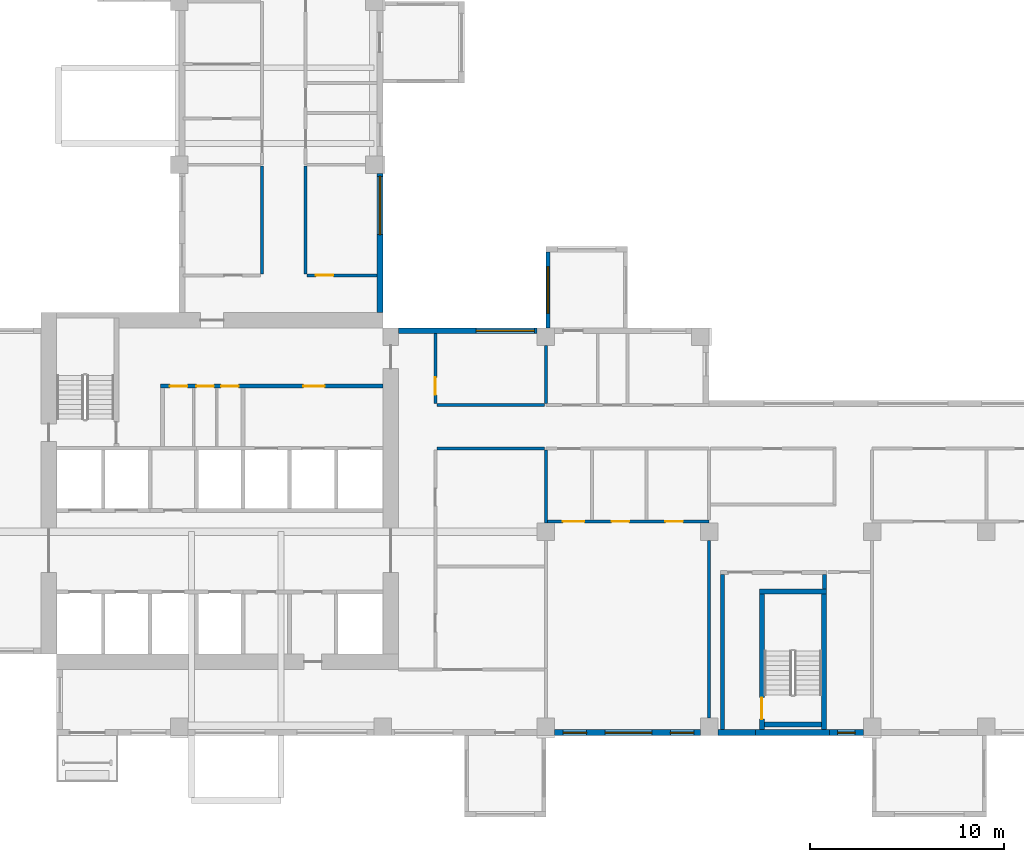
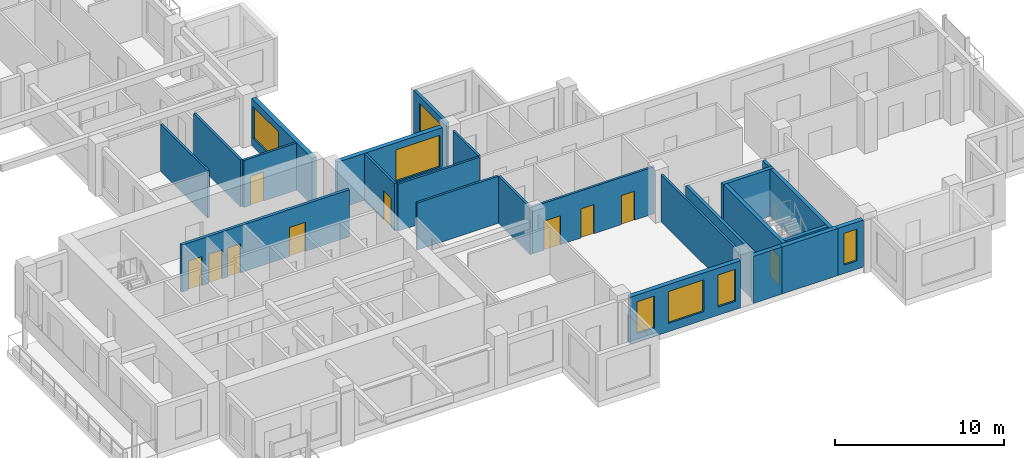
# One storey, part 4 of 13: 24 walls, 10 doors, 7 windows, 17 openings.
"""IFC4 building model written with IfcOpenShell, lengths in metres."""

from ifc_helpers import new_model, si_unit, direction, frame, frame_2d, origin, place, context, subcontext, project, spatial, rectangle, extrude, source, transform, mapped, material, layer, layer_set, type_object, element, fill, save


model = new_model("IFC4")

# Units and contexts
model_context = context("Model", 3, precision=1e-05, world=origin(), true_north=direction((0.0, 1.0)))
body_context = subcontext(model_context, "Body", "Model", "MODEL_VIEW")
ifc_project = project(units=[si_unit("LENGTHUNIT", "METRE"), si_unit("AREAUNIT", "SQUARE_METRE"), si_unit("VOLUMEUNIT", "CUBIC_METRE"), si_unit("PLANEANGLEUNIT", "RADIAN"), si_unit("MASSUNIT", "GRAM", prefix="KILO")], contexts=[model_context])

# Site, building, storey
site_placement = place(None, origin())
site = spatial("IfcSite", under=ifc_project, at=site_placement, CompositionType="ELEMENT")
building_placement = place(site_placement, origin())
building = spatial("IfcBuilding", under=site, at=building_placement, Name="Aurelian Terraces", CompositionType="ELEMENT")
storey_placement = place(building_placement, frame((0.0, 0.0, 193.0)))
storey = spatial("IfcBuildingStorey", under=building, at=storey_placement, Name="L42", CompositionType="ELEMENT", Elevation=193.0)

# Wall
ifc_material_1 = material(Name="Gypsum board on steel studs", Category="steel")
ifc_layer_1 = layer(ifc_material_1, 0.15)
ifc_layer_set_1 = layer_set([ifc_layer_1], Name="Partition 150")
wall_type_1 = type_object("IfcWallType", Name="Partition 150", PredefinedType="PARTITIONING", material=ifc_layer_set_1)
wall_1_placement = place(storey_placement, frame((29.4, 10.949, 0.0), z_axis=(0.0, 0.0, 1.0), x_axis=(0.0, 1.0, 0.0)))
element("IfcWall", 1, at=wall_1_placement, inside=storey, type_object=wall_type_1, Name="Partition", PredefinedType="PARTITIONING", context=body_context, shape_type="SweptSolid", body=[
    extrude(rectangle(XDim=3.751, YDim=0.15, at=frame_2d((1.8755, 0.0))), origin(), (0.0, 0.0, 1.0), 3.4),
])

# Wall, opening, window
ifc_material_2 = material(Name="Terracotta rainscreen cladding", Category="masonry")
ifc_layer_2 = layer(ifc_material_2, 0.3)
ifc_layer_set_2 = layer_set([ifc_layer_2], Name="EW-300")
wall_type_2 = type_object("IfcWallType", Name="EW-300", PredefinedType="STANDARD", material=ifc_layer_set_2)
shared_shape_1 = source(origin(), body_context, "Body", "SweptSolid", [
    extrude(rectangle(XDim=7.15, YDim=0.3, at=frame_2d((3.575, 0.0))), origin(), (0.0, 0.0, 1.0), 3.4),
])
wall_2_placement = place(storey_placement, frame((28.95, 20.85, 0.0), z_axis=(0.0, 0.0, 1.0), x_axis=(-1.0, 0.0, 0.0)))
wall_2 = element("IfcWall", 2, at=wall_2_placement, inside=storey, type_object=wall_type_2, Name="External wall L42 F07.18", PredefinedType="STANDARD", context=body_context, shape_type="MappedRepresentation", body=[
    mapped(shared_shape_1, transform((0.0, 0.0, 0.0), scale=1.0)),
])
shared_shape_2 = source(origin(), body_context, "Body", "SweptSolid", [
    extrude(rectangle(XDim=3.0, YDim=2.3, at=frame_2d((1.5, 1.15))), frame((0.0, 0.16, 0.0), z_axis=(0.0, -1.0, 0.0), x_axis=(1.0, 0.0, 0.0)), (0.0, 0.0, 1.0), 0.32),
])
opening_1_placement = place(wall_2_placement, frame((0.15, 0.0, 0.6)))
opening_1 = element("IfcOpeningElement", 3, at=opening_1_placement, cuts=wall_2, Name="Opening W3023", PredefinedType="OPENING", context=body_context, shape_type="MappedRepresentation", body=[
    mapped(shared_shape_2, transform((0.0, 0.0, 0.0), scale=1.0)),
])
ifc_material_3 = material(Name="Clear glazing", Category="glass")
window_type_1 = type_object("IfcWindowType", Name="W-3000x2300", PartitioningType="SINGLE_PANEL", PredefinedType="WINDOW", material=ifc_material_3)
shared_shape_3 = source(origin(), body_context, "Body", "SweptSolid", [
    extrude(rectangle(XDim=3.0, YDim=2.3, at=frame_2d((1.5, 1.15))), frame((0.0, 0.03, 0.0), z_axis=(0.0, -1.0, 0.0), x_axis=(1.0, 0.0, 0.0)), (0.0, 0.0, 1.0), 0.06),
])
window_1_placement = place(opening_1_placement, origin())
window_1 = element("IfcWindow", 4, at=window_1_placement, inside=storey, type_object=window_type_1, Name="Window L42 L42-F07-18-0", OverallHeight=2.3, OverallWidth=3.0, PartitioningType="SINGLE_PANEL", PredefinedType="WINDOW", context=body_context, shape_type="MappedRepresentation", body=[
    mapped(shared_shape_3, transform((0.0, 0.0, 0.0), scale=1.0)),
])
fill(opening_1, window_1)

wall_3_placement = place(storey_placement, frame((20.85, 21.8, 0.0), z_axis=(0.0, 0.0, 1.0), x_axis=(0.0, 1.0, 0.0)))
wall_3 = element("IfcWall", 5, at=wall_3_placement, inside=storey, type_object=wall_type_2, Name="External wall L42 F08.19", PredefinedType="STANDARD", context=body_context, shape_type="MappedRepresentation", body=[
    mapped(shared_shape_1, transform((0.0, 0.0, 0.0), scale=1.0)),
])
opening_2_placement = place(wall_3_placement, frame((4.0, 0.0, 0.6)))
opening_2 = element("IfcOpeningElement", 6, at=opening_2_placement, cuts=wall_3, Name="Opening W3023", PredefinedType="OPENING", context=body_context, shape_type="MappedRepresentation", body=[
    mapped(shared_shape_2, transform((0.0, 0.0, 0.0), scale=1.0)),
])
window_2_placement = place(opening_2_placement, origin())
window_2 = element("IfcWindow", 7, at=window_2_placement, inside=storey, type_object=window_type_1, Name="Window L42 L42-F08-19-1", OverallHeight=2.3, OverallWidth=3.0, PartitioningType="SINGLE_PANEL", PredefinedType="WINDOW", context=body_context, shape_type="MappedRepresentation", body=[
    mapped(shared_shape_3, transform((0.0, 0.0, 0.0), scale=1.0)),
])
fill(opening_2, window_2)

# Wall, openings, windows
shared_shape_4 = source(origin(), body_context, "Body", "SweptSolid", [
    extrude(rectangle(XDim=7.5, YDim=0.3, at=frame_2d((3.75, 0.0))), origin(), (0.0, 0.0, 1.0), 3.4),
])
wall_4_placement = place(storey_placement, frame((29.85, 0.15, 0.0), z_axis=(0.0, 0.0, 1.0), x_axis=(1.0, 0.0, 0.0)))
wall_4 = element("IfcWall", 8, at=wall_4_placement, inside=storey, type_object=wall_type_2, Name="External wall L42 F01.5", PredefinedType="STANDARD", context=body_context, shape_type="MappedRepresentation", body=[
    mapped(shared_shape_4, transform((0.0, 0.0, 0.0), scale=1.0)),
])
shared_shape_5 = source(origin(), body_context, "Body", "SweptSolid", [
    extrude(rectangle(XDim=1.2, YDim=2.3, at=frame_2d((0.6, 1.15))), frame((0.0, 0.16, 0.0), z_axis=(0.0, -1.0, 0.0), x_axis=(1.0, 0.0, 0.0)), (0.0, 0.0, 1.0), 0.32),
])
opening_3_placement = place(wall_4_placement, frame((0.4375, 0.0, 0.6)))
opening_3 = element("IfcOpeningElement", 9, at=opening_3_placement, cuts=wall_4, Name="Opening W1223", PredefinedType="OPENING", context=body_context, shape_type="MappedRepresentation", body=[
    mapped(shared_shape_5, transform((0.0, 0.0, 0.0), scale=1.0)),
])
opening_4_placement = place(wall_4_placement, frame((5.9625, 0.0, 0.6)))
opening_4 = element("IfcOpeningElement", 10, at=opening_4_placement, cuts=wall_4, Name="Opening W1223", PredefinedType="OPENING", context=body_context, shape_type="MappedRepresentation", body=[
    mapped(shared_shape_5, transform((0.0, 0.0, 0.0), scale=1.0)),
])
shared_shape_6 = source(origin(), body_context, "Body", "SweptSolid", [
    extrude(rectangle(XDim=2.4, YDim=2.3, at=frame_2d((1.2, 1.15))), frame((0.0, 0.16, 0.0), z_axis=(0.0, -1.0, 0.0), x_axis=(1.0, 0.0, 0.0)), (0.0, 0.0, 1.0), 0.32),
])
opening_5_placement = place(wall_4_placement, frame((2.6, 0.0, 0.6)))
opening_5 = element("IfcOpeningElement", 11, at=opening_5_placement, cuts=wall_4, Name="Opening W2423", PredefinedType="OPENING", context=body_context, shape_type="MappedRepresentation", body=[
    mapped(shared_shape_6, transform((0.0, 0.0, 0.0), scale=1.0)),
])
window_type_2 = type_object("IfcWindowType", Name="W-1200x2300", PartitioningType="SINGLE_PANEL", PredefinedType="WINDOW", material=ifc_material_3)
shared_shape_7 = source(origin(), body_context, "Body", "SweptSolid", [
    extrude(rectangle(XDim=1.2, YDim=2.3, at=frame_2d((0.6, 1.15))), frame((0.0, 0.03, 0.0), z_axis=(0.0, -1.0, 0.0), x_axis=(1.0, 0.0, 0.0)), (0.0, 0.0, 1.0), 0.06),
])
window_3_placement = place(opening_3_placement, origin())
window_3 = element("IfcWindow", 12, at=window_3_placement, inside=storey, type_object=window_type_2, Name="Window L42 L42-F01-05-0", OverallHeight=2.3, OverallWidth=1.2, PartitioningType="SINGLE_PANEL", PredefinedType="WINDOW", context=body_context, shape_type="MappedRepresentation", body=[
    mapped(shared_shape_7, transform((0.0, 0.0, 0.0), scale=1.0)),
])
fill(opening_3, window_3)
window_4_placement = place(opening_4_placement, origin())
window_4 = element("IfcWindow", 13, at=window_4_placement, inside=storey, type_object=window_type_2, Name="Window L42 L42-F01-05-1", OverallHeight=2.3, OverallWidth=1.2, PartitioningType="SINGLE_PANEL", PredefinedType="WINDOW", context=body_context, shape_type="MappedRepresentation", body=[
    mapped(shared_shape_7, transform((0.0, 0.0, 0.0), scale=1.0)),
])
fill(opening_4, window_4)
window_type_3 = type_object("IfcWindowType", Name="W-2400x2300", PartitioningType="SINGLE_PANEL", PredefinedType="WINDOW", material=ifc_material_3)
shared_shape_8 = source(origin(), body_context, "Body", "SweptSolid", [
    extrude(rectangle(XDim=2.4, YDim=2.3, at=frame_2d((1.2, 1.15))), frame((0.0, 0.03, 0.0), z_axis=(0.0, -1.0, 0.0), x_axis=(1.0, 0.0, 0.0)), (0.0, 0.0, 1.0), 0.06),
])
window_5_placement = place(opening_5_placement, origin())
window_5 = element("IfcWindow", 14, at=window_5_placement, inside=storey, type_object=window_type_3, Name="Window L42 L42-F01-05-G0-21", OverallHeight=2.3, OverallWidth=2.4, PartitioningType="SINGLE_PANEL", PredefinedType="WINDOW", context=body_context, shape_type="MappedRepresentation", body=[
    mapped(shared_shape_8, transform((0.0, 0.0, 0.0), scale=1.0)),
])
fill(opening_5, window_5)

# Wall, opening, window
ifc_material_4 = material(Name="Concrete fc' 40 MPa", Category="concrete")
ifc_layer_3 = layer(ifc_material_4, 0.2)
ifc_layer_set_3 = layer_set([ifc_layer_3], Name="BOX BEARING WALL 200")
wall_type_3 = type_object("IfcWallType", Name="BOX BEARING WALL 200", PredefinedType="SOLIDWALL", material=ifc_layer_set_3)
shared_shape_9 = source(origin(), body_context, "Body", "SweptSolid", [
    extrude(rectangle(XDim=3.9, YDim=0.2, at=frame_2d((1.95, 0.0))), origin(), (0.0, 0.0, 1.0), 3.39),
])
wall_5_placement = place(storey_placement, frame((29.5, 21.0, 0.0), z_axis=(0.0, 0.0, 1.0), x_axis=(0.0, 1.0, 0.0)))
wall_5 = element("IfcWall", 15, at=wall_5_placement, inside=storey, type_object=wall_type_3, Name="Box return L42 J59.2", PredefinedType="SOLIDWALL", context=body_context, shape_type="MappedRepresentation", body=[
    mapped(shared_shape_9, transform((0.0, 0.0, 0.0), scale=1.0)),
])
shared_shape_10 = source(origin(), body_context, "Body", "SweptSolid", [
    extrude(rectangle(XDim=2.4, YDim=2.3, at=frame_2d((1.2, 1.15))), frame((0.0, 0.11, 0.0), z_axis=(0.0, -1.0, 0.0), x_axis=(1.0, 0.0, 0.0)), (0.0, 0.0, 1.0), 0.22),
])
opening_6_placement = place(wall_5_placement, frame((0.75, 0.0, 0.6)))
opening_6 = element("IfcOpeningElement", 16, at=opening_6_placement, cuts=wall_5, Name="Opening W2423", PredefinedType="OPENING", context=body_context, shape_type="MappedRepresentation", body=[
    mapped(shared_shape_10, transform((0.0, 0.0, 0.0), scale=1.0)),
])
window_6_placement = place(opening_6_placement, origin())
window_6 = element("IfcWindow", 17, at=window_6_placement, inside=storey, type_object=window_type_3, Name="Window L42 J59-S2", OverallHeight=2.3, OverallWidth=2.4, PartitioningType="SINGLE_PANEL", PredefinedType="WINDOW", context=body_context, shape_type="MappedRepresentation", body=[
    mapped(shared_shape_8, transform((0.0, 0.0, 0.0), scale=1.0)),
])
fill(opening_6, window_6)

# Walls
shared_shape_11 = source(origin(), body_context, "Body", "SweptSolid", [
    extrude(rectangle(XDim=1.95, YDim=0.3, at=frame_2d((0.975, 0.0))), origin(), (0.0, 0.0, 1.0), 3.4),
])
wall_6_placement = place(storey_placement, frame((38.25, 0.15, 0.0), z_axis=(0.0, 0.0, 1.0), x_axis=(1.0, 0.0, 0.0)))
element("IfcWall", 18, at=wall_6_placement, inside=storey, type_object=wall_type_2, Name="External wall L42 F01.6", PredefinedType="STANDARD", context=body_context, shape_type="MappedRepresentation", body=[
    mapped(shared_shape_11, transform((0.0, 0.0, 0.0), scale=1.0)),
])
ifc_layer_4 = layer(ifc_material_4, 0.3)
ifc_layer_set_4 = layer_set([ifc_layer_4], Name="STAIR BAY WALL 300")
wall_type_4 = type_object("IfcWallType", Name="STAIR BAY WALL 300", PredefinedType="SOLIDWALL", material=ifc_layer_set_4)
shared_shape_12 = source(origin(), body_context, "Body", "SweptSolid", [
    extrude(rectangle(XDim=3.8, YDim=0.3, at=frame_2d((1.9, 0.0))), origin(), (0.0, 0.0, 1.0), 3.4),
])
wall_7_placement = place(storey_placement, frame((40.2, 0.15, 0.0), z_axis=(0.0, 0.0, 1.0), x_axis=(1.0, 0.0, 0.0)))
element("IfcWall", 19, at=wall_7_placement, inside=storey, type_object=wall_type_4, Name="Stair bay wall L42 F01.6", PredefinedType="SOLIDWALL", context=body_context, shape_type="MappedRepresentation", body=[
    mapped(shared_shape_12, transform((0.0, 0.0, 0.0), scale=1.0)),
])

# Wall, opening, window
shared_shape_13 = source(origin(), body_context, "Body", "SweptSolid", [
    extrude(rectangle(XDim=1.75, YDim=0.3, at=frame_2d((0.875, 0.0))), origin(), (0.0, 0.0, 1.0), 3.4),
])
wall_8_placement = place(storey_placement, frame((44.0, 0.15, 0.0), z_axis=(0.0, 0.0, 1.0), x_axis=(1.0, 0.0, 0.0)))
wall_8 = element("IfcWall", 20, at=wall_8_placement, inside=storey, type_object=wall_type_2, Name="External wall L42 F01.6", PredefinedType="STANDARD", context=body_context, shape_type="MappedRepresentation", body=[
    mapped(shared_shape_13, transform((0.0, 0.0, 0.0), scale=1.0)),
])
shared_shape_14 = source(origin(), body_context, "Body", "SweptSolid", [
    extrude(rectangle(XDim=0.9, YDim=2.3, at=frame_2d((0.45, 1.15))), frame((0.0, 0.16, 0.0), z_axis=(0.0, -1.0, 0.0), x_axis=(1.0, 0.0, 0.0)), (0.0, 0.0, 1.0), 0.32),
])
opening_7_placement = place(wall_8_placement, frame((0.425, 0.0, 0.6)))
opening_7 = element("IfcOpeningElement", 21, at=opening_7_placement, cuts=wall_8, Name="Opening W0923", PredefinedType="OPENING", context=body_context, shape_type="MappedRepresentation", body=[
    mapped(shared_shape_14, transform((0.0, 0.0, 0.0), scale=1.0)),
])
window_type_4 = type_object("IfcWindowType", Name="W-900x2300", PartitioningType="SINGLE_PANEL", PredefinedType="WINDOW", material=ifc_material_3)
shared_shape_15 = source(origin(), body_context, "Body", "SweptSolid", [
    extrude(rectangle(XDim=0.9, YDim=2.3, at=frame_2d((0.45, 1.15))), frame((0.0, 0.03, 0.0), z_axis=(0.0, -1.0, 0.0), x_axis=(1.0, 0.0, 0.0)), (0.0, 0.0, 1.0), 0.06),
])
window_7_placement = place(opening_7_placement, origin())
window_7 = element("IfcWindow", 22, at=window_7_placement, inside=storey, type_object=window_type_4, Name="Window L42 L42-F01-06-P2", OverallHeight=2.3, OverallWidth=0.9, PartitioningType="SINGLE_PANEL", PredefinedType="WINDOW", context=body_context, shape_type="MappedRepresentation", body=[
    mapped(shared_shape_15, transform((0.0, 0.0, 0.0), scale=1.0)),
])
fill(opening_7, window_7)

# Wall, opening, door
ifc_layer_5 = layer(ifc_material_4, 0.25)
ifc_layer_set_5 = layer_set([ifc_layer_5], Name="Stair enclosure wall 250")
wall_type_5 = type_object("IfcWallType", Name="Stair enclosure wall 250", PredefinedType="SOLIDWALL", material=ifc_layer_set_5)
shared_shape_16 = source(origin(), body_context, "Body", "SweptSolid", [
    extrude(rectangle(XDim=7.0, YDim=0.25, at=frame_2d((3.5, 0.0))), origin(), (0.0, 0.0, 1.0), 3.4),
])
wall_9_placement = place(storey_placement, frame((40.525, 0.3, 0.0), z_axis=(0.0, 0.0, 1.0), x_axis=(0.0, 1.0, 0.0)))
wall_9 = element("IfcWall", 23, at=wall_9_placement, inside=storey, type_object=wall_type_5, Name="L42 core wall ST-S2-W", PredefinedType="SOLIDWALL", context=body_context, shape_type="MappedRepresentation", body=[
    mapped(shared_shape_16, transform((0.0, 0.0, 0.0), scale=1.0)),
])
shared_shape_17 = source(origin(), body_context, "Body", "SweptSolid", [
    extrude(rectangle(XDim=1.1, YDim=2.1, at=frame_2d((0.55, 1.05))), frame((0.0, 0.135, 0.0), z_axis=(0.0, -1.0, 0.0), x_axis=(1.0, 0.0, 0.0)), (0.0, 0.0, 1.0), 0.27),
])
opening_8_placement = place(wall_9_placement, frame((0.55, 0.0, 0.0)))
opening_8 = element("IfcOpeningElement", 24, at=opening_8_placement, cuts=wall_9, Name="Opening 64517", PredefinedType="OPENING", context=body_context, shape_type="MappedRepresentation", body=[
    mapped(shared_shape_17, transform((0.0, 0.0, 0.0), scale=1.0)),
])
ifc_material_5 = material(Name="Steel door leaf", Category="steel")
door_type_1 = type_object("IfcDoorType", Name="Core fire door 1100x2100", OperationType="SINGLE_SWING_LEFT", PredefinedType="DOOR", material=ifc_material_5)
shared_shape_18 = source(origin(), body_context, "Body", "SweptSolid", [
    extrude(rectangle(XDim=1.1, YDim=2.1, at=frame_2d((0.55, 1.05))), frame((0.0, 0.025, 0.0), z_axis=(0.0, -1.0, 0.0), x_axis=(1.0, 0.0, 0.0)), (0.0, 0.0, 1.0), 0.05),
])
door_1_placement = place(opening_8_placement, origin())
door_1 = element("IfcDoor", 25, at=door_1_placement, inside=storey, type_object=door_type_1, Name="Stair door 64517", OperationType="SINGLE_SWING_LEFT", OverallHeight=2.1, OverallWidth=1.1, PredefinedType="DOOR", context=body_context, shape_type="MappedRepresentation", body=[
    mapped(shared_shape_18, transform((0.0, 0.0, 0.0), scale=1.0)),
])
fill(opening_8, door_1)

# Walls
wall_10_placement = place(storey_placement, frame((43.725, 0.3, 0.0), z_axis=(0.0, 0.0, 1.0), x_axis=(0.0, 1.0, 0.0)))
element("IfcWall", 26, at=wall_10_placement, inside=storey, type_object=wall_type_5, Name="L42 core wall ST-S2-E", PredefinedType="SOLIDWALL", context=body_context, shape_type="MappedRepresentation", body=[
    mapped(shared_shape_16, transform((0.0, 0.0, 0.0), scale=1.0)),
])
shared_shape_19 = source(origin(), body_context, "Body", "SweptSolid", [
    extrude(rectangle(XDim=3.45, YDim=0.25, at=frame_2d((1.725, 0.0))), origin(), (0.0, 0.0, 1.0), 3.4),
])
wall_11_placement = place(storey_placement, frame((40.4, 7.425, 0.0), z_axis=(0.0, 0.0, 1.0), x_axis=(1.0, 0.0, 0.0)))
element("IfcWall", 27, at=wall_11_placement, inside=storey, type_object=wall_type_5, Name="L42 core wall ST-S2-N", PredefinedType="SOLIDWALL", context=body_context, shape_type="MappedRepresentation", body=[
    mapped(shared_shape_19, transform((0.0, 0.0, 0.0), scale=1.0)),
])
shared_shape_20 = source(origin(), body_context, "Body", "SweptSolid", [
    extrude(rectangle(XDim=2.95, YDim=0.25, at=frame_2d((1.475, 0.0))), origin(), (0.0, 0.0, 1.0), 3.4),
])
wall_12_placement = place(storey_placement, frame((40.65, 0.575, 0.0), z_axis=(0.0, 0.0, 1.0), x_axis=(1.0, 0.0, 0.0)))
element("IfcWall", 28, at=wall_12_placement, inside=storey, type_object=wall_type_5, Name="L42 core wall ST-S2-SS", PredefinedType="SOLIDWALL", context=body_context, shape_type="MappedRepresentation", body=[
    mapped(shared_shape_20, transform((0.0, 0.0, 0.0), scale=1.0)),
])
ifc_layer_6 = layer(ifc_material_1, 0.2)
ifc_layer_set_6 = layer_set([ifc_layer_6], Name="Core partition 200")
wall_type_6 = type_object("IfcWallType", Name="Core partition 200", PredefinedType="PARTITIONING", material=ifc_layer_set_6)
shared_shape_21 = source(origin(), body_context, "Body", "SweptSolid", [
    extrude(rectangle(XDim=0.75, YDim=0.2, at=frame_2d((0.375, 0.0))), origin(), (0.0, 0.0, 1.0), 3.4),
])
wall_13_placement = place(storey_placement, frame((43.75, 7.55, 0.0), z_axis=(0.0, 0.0, 1.0), x_axis=(0.0, 1.0, 0.0)))
element("IfcWall", 29, at=wall_13_placement, inside=storey, type_object=wall_type_6, Name="L42 core wall ST-S2-RE", PredefinedType="PARTITIONING", context=body_context, shape_type="MappedRepresentation", body=[
    mapped(shared_shape_21, transform((0.0, 0.0, 0.0), scale=1.0)),
])

# Wall, openings, doors
shared_shape_22 = source(origin(), body_context, "Body", "SweptSolid", [
    extrude(rectangle(XDim=11.45, YDim=0.2, at=frame_2d((5.725, 0.0))), origin(), (0.0, 0.0, 1.0), 3.4),
])
wall_14_placement = place(storey_placement, frame((9.55, 18.0, 0.0), z_axis=(0.0, 0.0, 1.0), x_axis=(1.0, 0.0, 0.0)))
wall_14 = element("IfcWall", 30, at=wall_14_placement, inside=storey, type_object=wall_type_6, Name="L42 core wall CP-NORTH", PredefinedType="PARTITIONING", context=body_context, shape_type="MappedRepresentation", body=[
    mapped(shared_shape_22, transform((0.0, 0.0, 0.0), scale=1.0)),
])
shared_shape_23 = source(origin(), body_context, "Body", "SweptSolid", [
    extrude(rectangle(XDim=0.9, YDim=2.1, at=frame_2d((0.45, 1.05))), frame((0.0, 0.11, 0.0), z_axis=(0.0, -1.0, 0.0), x_axis=(1.0, 0.0, 0.0)), (0.0, 0.0, 1.0), 0.22),
])
opening_9_placement = place(wall_14_placement, frame((0.475, 0.0, 0.0)))
opening_9 = element("IfcOpeningElement", 31, at=opening_9_placement, cuts=wall_14, Name="Opening 64513", PredefinedType="OPENING", context=body_context, shape_type="MappedRepresentation", body=[
    mapped(shared_shape_23, transform((0.0, 0.0, 0.0), scale=1.0)),
])
opening_10_placement = place(wall_14_placement, frame((1.85, 0.0, 0.0)))
opening_10 = element("IfcOpeningElement", 32, at=opening_10_placement, cuts=wall_14, Name="Opening 64514", PredefinedType="OPENING", context=body_context, shape_type="MappedRepresentation", body=[
    mapped(shared_shape_23, transform((0.0, 0.0, 0.0), scale=1.0)),
])
opening_11_placement = place(wall_14_placement, frame((3.125, 0.0, 0.0)))
opening_11 = element("IfcOpeningElement", 33, at=opening_11_placement, cuts=wall_14, Name="Opening 64515", PredefinedType="OPENING", context=body_context, shape_type="MappedRepresentation", body=[
    mapped(shared_shape_23, transform((0.0, 0.0, 0.0), scale=1.0)),
])
shared_shape_24 = source(origin(), body_context, "Body", "SweptSolid", [
    extrude(rectangle(XDim=1.1, YDim=2.1, at=frame_2d((0.55, 1.05))), frame((0.0, 0.11, 0.0), z_axis=(0.0, -1.0, 0.0), x_axis=(1.0, 0.0, 0.0)), (0.0, 0.0, 1.0), 0.22),
])
opening_12_placement = place(wall_14_placement, frame((7.35, 0.0, 0.0)))
opening_12 = element("IfcOpeningElement", 34, at=opening_12_placement, cuts=wall_14, Name="Opening 64516", PredefinedType="OPENING", context=body_context, shape_type="MappedRepresentation", body=[
    mapped(shared_shape_24, transform((0.0, 0.0, 0.0), scale=1.0)),
])
door_type_2 = type_object("IfcDoorType", Name="Core service door 900x2100", OperationType="SINGLE_SWING_LEFT", PredefinedType="DOOR", material=ifc_material_5)
shared_shape_25 = source(origin(), body_context, "Body", "SweptSolid", [
    extrude(rectangle(XDim=0.9, YDim=2.1, at=frame_2d((0.45, 1.05))), frame((0.0, 0.025, 0.0), z_axis=(0.0, -1.0, 0.0), x_axis=(1.0, 0.0, 0.0)), (0.0, 0.0, 1.0), 0.05),
])
door_2_placement = place(opening_9_placement, origin())
door_2 = element("IfcDoor", 35, at=door_2_placement, inside=storey, type_object=door_type_2, Name="Room door 64513", OperationType="SINGLE_SWING_LEFT", OverallHeight=2.1, OverallWidth=0.9, PredefinedType="DOOR", context=body_context, shape_type="MappedRepresentation", body=[
    mapped(shared_shape_25, transform((0.0, 0.0, 0.0), scale=1.0)),
])
fill(opening_9, door_2)
door_type_3 = type_object("IfcDoorType", Name="Core riser door 900x2100 right", OperationType="SINGLE_SWING_RIGHT", PredefinedType="DOOR", material=ifc_material_5)
door_3_placement = place(opening_10_placement, origin())
door_3 = element("IfcDoor", 36, at=door_3_placement, inside=storey, type_object=door_type_3, Name="Room door 64514", OperationType="SINGLE_SWING_RIGHT", OverallHeight=2.1, OverallWidth=0.9, PredefinedType="DOOR", context=body_context, shape_type="MappedRepresentation", body=[
    mapped(shared_shape_25, transform((0.0, 0.0, 0.0), scale=1.0)),
])
fill(opening_10, door_3)
door_4_placement = place(opening_11_placement, origin())
door_4 = element("IfcDoor", 37, at=door_4_placement, inside=storey, type_object=door_type_2, Name="Room door 64515", OperationType="SINGLE_SWING_LEFT", OverallHeight=2.1, OverallWidth=0.9, PredefinedType="DOOR", context=body_context, shape_type="MappedRepresentation", body=[
    mapped(shared_shape_25, transform((0.0, 0.0, 0.0), scale=1.0)),
])
fill(opening_11, door_4)
door_type_4 = type_object("IfcDoorType", Name="Core fire door 1100x2100 right", OperationType="SINGLE_SWING_RIGHT", PredefinedType="DOOR", material=ifc_material_5)
door_5_placement = place(opening_12_placement, origin())
door_5 = element("IfcDoor", 38, at=door_5_placement, inside=storey, type_object=door_type_4, Name="Ff lobby door 64516", OperationType="SINGLE_SWING_RIGHT", OverallHeight=2.1, OverallWidth=1.1, PredefinedType="DOOR", context=body_context, shape_type="MappedRepresentation", body=[
    mapped(shared_shape_18, transform((0.0, 0.0, 0.0), scale=1.0)),
])
fill(opening_12, door_5)

# Walls
shared_shape_26 = source(origin(), body_context, "Body", "SweptSolid", [
    extrude(rectangle(XDim=8.0, YDim=0.2, at=frame_2d((4.0, 0.0))), origin(), (0.0, 0.0, 1.0), 3.4),
])
wall_15_placement = place(storey_placement, frame((38.5, 0.3, 0.0), z_axis=(0.0, 0.0, 1.0), x_axis=(0.0, 1.0, 0.0)))
element("IfcWall", 39, at=wall_15_placement, inside=storey, type_object=wall_type_6, Name="L42 core wall ST-S2-VW", PredefinedType="PARTITIONING", context=body_context, shape_type="MappedRepresentation", body=[
    mapped(shared_shape_26, transform((0.0, 0.0, 0.0), scale=1.0)),
])
ifc_layer_7 = layer(ifc_material_1, 0.15)
ifc_layer_set_7 = layer_set([ifc_layer_7], Name="Fire partition 150")
wall_type_7 = type_object("IfcWallType", Name="Fire partition 150", PredefinedType="PARTITIONING", material=ifc_layer_set_7)
shared_shape_27 = source(origin(), body_context, "Body", "SweptSolid", [
    extrude(rectangle(XDim=5.55, YDim=0.15, at=frame_2d((2.775, 0.0))), origin(), (0.0, 0.0, 1.0), 3.4),
])
for number, where, z_axis, x_axis, name in (
    (40, (29.325, 14.775, 0.0), (0.0, 0.0, 1.0), (-1.0, 0.0, 0.0), "Corridor wall"),
    (41, (23.775, 17.025, 0.0), (0.0, 0.0, 1.0), (1.0, 0.0, 0.0), "Corridor wall"),
    (42, (14.775, 23.775, 0.0), (0.0, 0.0, 1.0), (0.0, 1.0, 0.0), "Corridor wall"),
    (43, (17.025, 29.325, 0.0), (0.0, 0.0, 1.0), (0.0, -1.0, 0.0), "Corridor wall"),
):
    element("IfcWall", number, at=place(storey_placement, frame(where, z_axis=z_axis, x_axis=x_axis)), inside=storey, type_object=wall_type_7, Name=name, PredefinedType="PARTITIONING", context=body_context, shape_type="MappedRepresentation", body=[
        mapped(shared_shape_27, transform((0.0, 0.0, 0.0), scale=1.0)),
    ])
shared_shape_28 = source(origin(), body_context, "Body", "SweptSolid", [
    extrude(rectangle(XDim=9.152, YDim=0.15, at=frame_2d((4.576, 0.0))), origin(), (0.0, 0.0, 1.0), 3.4),
])
wall_16_placement = place(storey_placement, frame((37.8, 0.899, 0.0), z_axis=(0.0, 0.0, 1.0), x_axis=(0.0, 1.0, 0.0)))
element("IfcWall", 44, at=wall_16_placement, inside=storey, type_object=wall_type_7, Name="Party wall", PredefinedType="PARTITIONING", context=body_context, shape_type="MappedRepresentation", body=[
    mapped(shared_shape_28, transform((0.0, 0.0, 0.0), scale=1.0)),
])

# Wall, opening, door
shared_shape_29 = source(origin(), body_context, "Body", "SweptSolid", [
    extrude(rectangle(XDim=3.6, YDim=0.15, at=frame_2d((1.8, 0.0))), origin(), (0.0, 0.0, 1.0), 3.4),
])
wall_17_placement = place(storey_placement, frame((23.7, 20.7, 0.0), z_axis=(0.0, 0.0, 1.0), x_axis=(0.0, -1.0, 0.0)))
wall_17 = element("IfcWall", 45, at=wall_17_placement, inside=storey, type_object=wall_type_1, Name="Partition", PredefinedType="PARTITIONING", context=body_context, shape_type="MappedRepresentation", body=[
    mapped(shared_shape_29, transform((0.0, 0.0, 0.0), scale=1.0)),
])
shared_shape_30 = source(origin(), body_context, "Body", "SweptSolid", [
    extrude(rectangle(XDim=0.9, YDim=2.1, at=frame_2d((0.45, 1.05))), frame((0.0, 0.085, 0.0), z_axis=(0.0, -1.0, 0.0), x_axis=(1.0, 0.0, 0.0)), (0.0, 0.0, 1.0), 0.17),
])
opening_13_placement = place(wall_17_placement, frame((2.25, 0.0, 0.0)))
opening_13 = element("IfcOpeningElement", 46, at=opening_13_placement, cuts=wall_17, Name="Opening 742003", PredefinedType="OPENING", context=body_context, shape_type="MappedRepresentation", body=[
    mapped(shared_shape_30, transform((0.0, 0.0, 0.0), scale=1.0)),
])
ifc_material_6 = material(Name="Timber door leaf", Category="wood")
door_type_5 = type_object("IfcDoorType", Name="Room door 900x2100 left", OperationType="SINGLE_SWING_LEFT", PredefinedType="DOOR", material=ifc_material_6)
door_6_placement = place(opening_13_placement, origin())
door_6 = element("IfcDoor", 47, at=door_6_placement, inside=storey, type_object=door_type_5, Name="Door 742003", OperationType="SINGLE_SWING_LEFT", OverallHeight=2.1, OverallWidth=0.9, PredefinedType="DOOR", context=body_context, shape_type="MappedRepresentation", body=[
    mapped(shared_shape_25, transform((0.0, 0.0, 0.0), scale=1.0)),
])
fill(opening_13, door_6)

wall_18_placement = place(storey_placement, frame((17.1, 23.7, 0.0), z_axis=(0.0, 0.0, 1.0), x_axis=(1.0, 0.0, 0.0)))
wall_18 = element("IfcWall", 48, at=wall_18_placement, inside=storey, type_object=wall_type_1, Name="Partition", PredefinedType="PARTITIONING", context=body_context, shape_type="MappedRepresentation", body=[
    mapped(shared_shape_29, transform((0.0, 0.0, 0.0), scale=1.0)),
])
opening_14_placement = place(wall_18_placement, frame((0.45, 0.0, 0.0)))
opening_14 = element("IfcOpeningElement", 49, at=opening_14_placement, cuts=wall_18, Name="Opening 742020", PredefinedType="OPENING", context=body_context, shape_type="MappedRepresentation", body=[
    mapped(shared_shape_30, transform((0.0, 0.0, 0.0), scale=1.0)),
])
door_7_placement = place(opening_14_placement, origin())
door_7 = element("IfcDoor", 50, at=door_7_placement, inside=storey, type_object=door_type_5, Name="Door 742020", OperationType="SINGLE_SWING_LEFT", OverallHeight=2.1, OverallWidth=0.9, PredefinedType="DOOR", context=body_context, shape_type="MappedRepresentation", body=[
    mapped(shared_shape_25, transform((0.0, 0.0, 0.0), scale=1.0)),
])
fill(opening_14, door_7)

# Wall, openings, doors
shared_shape_31 = source(origin(), body_context, "Body", "SweptSolid", [
    extrude(rectangle(XDim=8.4, YDim=0.15, at=frame_2d((4.2, 0.0))), origin(), (0.0, 0.0, 1.0), 3.4),
])
wall_19_placement = place(storey_placement, frame((37.8, 11.025, 0.0), z_axis=(0.0, 0.0, 1.0), x_axis=(-1.0, 0.0, 0.0)))
wall_19 = element("IfcWall", 51, at=wall_19_placement, inside=storey, type_object=wall_type_1, Name="Partition", PredefinedType="PARTITIONING", context=body_context, shape_type="MappedRepresentation", body=[
    mapped(shared_shape_31, transform((0.0, 0.0, 0.0), scale=1.0)),
])
shared_shape_32 = source(origin(), body_context, "Body", "SweptSolid", [
    extrude(rectangle(XDim=1.1, YDim=2.1, at=frame_2d((0.55, 1.05))), frame((0.0, 0.085, 0.0), z_axis=(0.0, -1.0, 0.0), x_axis=(1.0, 0.0, 0.0)), (0.0, 0.0, 1.0), 0.17),
])
opening_15_placement = place(wall_19_placement, frame((6.424, 0.0, 0.0)))
opening_15 = element("IfcOpeningElement", 52, at=opening_15_placement, cuts=wall_19, Name="Opening 742008", PredefinedType="OPENING", context=body_context, shape_type="MappedRepresentation", body=[
    mapped(shared_shape_32, transform((0.0, 0.0, 0.0), scale=1.0)),
])
opening_16_placement = place(wall_19_placement, frame((4.1201, 0.0, 0.0)))
opening_16 = element("IfcOpeningElement", 53, at=opening_16_placement, cuts=wall_19, Name="Opening 742009", PredefinedType="OPENING", context=body_context, shape_type="MappedRepresentation", body=[
    mapped(shared_shape_30, transform((0.0, 0.0, 0.0), scale=1.0)),
])
opening_17_placement = place(wall_19_placement, frame((1.3462, 0.0, 0.0)))
opening_17 = element("IfcOpeningElement", 54, at=opening_17_placement, cuts=wall_19, Name="Opening 742010", PredefinedType="OPENING", context=body_context, shape_type="MappedRepresentation", body=[
    mapped(shared_shape_30, transform((0.0, 0.0, 0.0), scale=1.0)),
])
door_8_placement = place(opening_16_placement, origin())
door_8 = element("IfcDoor", 55, at=door_8_placement, inside=storey, type_object=door_type_5, Name="Door 742009", OperationType="SINGLE_SWING_LEFT", OverallHeight=2.1, OverallWidth=0.9, PredefinedType="DOOR", context=body_context, shape_type="MappedRepresentation", body=[
    mapped(shared_shape_25, transform((0.0, 0.0, 0.0), scale=1.0)),
])
fill(opening_16, door_8)
door_type_6 = type_object("IfcDoorType", Name="Room door 900x2100 right", OperationType="SINGLE_SWING_RIGHT", PredefinedType="DOOR", material=ifc_material_6)
door_9_placement = place(opening_17_placement, origin())
door_9 = element("IfcDoor", 56, at=door_9_placement, inside=storey, type_object=door_type_6, Name="Door 742010", OperationType="SINGLE_SWING_RIGHT", OverallHeight=2.1, OverallWidth=0.9, PredefinedType="DOOR", context=body_context, shape_type="MappedRepresentation", body=[
    mapped(shared_shape_25, transform((0.0, 0.0, 0.0), scale=1.0)),
])
fill(opening_17, door_9)
door_type_7 = type_object("IfcDoorType", Name="Room door 1100x2100 right", OperationType="SINGLE_SWING_RIGHT", PredefinedType="DOOR", material=ifc_material_6)
door_10_placement = place(opening_15_placement, origin())
door_10 = element("IfcDoor", 57, at=door_10_placement, inside=storey, type_object=door_type_7, Name="Door 742008", OperationType="SINGLE_SWING_RIGHT", OverallHeight=2.1, OverallWidth=1.1, PredefinedType="DOOR", context=body_context, shape_type="MappedRepresentation", body=[
    mapped(shared_shape_18, transform((0.0, 0.0, 0.0), scale=1.0)),
])
fill(opening_15, door_10)

# Wall
shared_shape_33 = source(origin(), body_context, "Body", "SweptSolid", [
    extrude(rectangle(XDim=3.001, YDim=0.15, at=frame_2d((1.5005, 0.0))), origin(), (0.0, 0.0, 1.0), 3.4),
])
wall_20_placement = place(storey_placement, frame((29.4, 17.1, 0.0), z_axis=(0.0, 0.0, 1.0), x_axis=(0.0, 1.0, 0.0)))
element("IfcWall", 58, at=wall_20_placement, inside=storey, type_object=wall_type_1, Name="Partition", PredefinedType="PARTITIONING", context=body_context, shape_type="MappedRepresentation", body=[
    mapped(shared_shape_33, transform((0.0, 0.0, 0.0), scale=1.0)),
])

save(model, "model.ifc")
